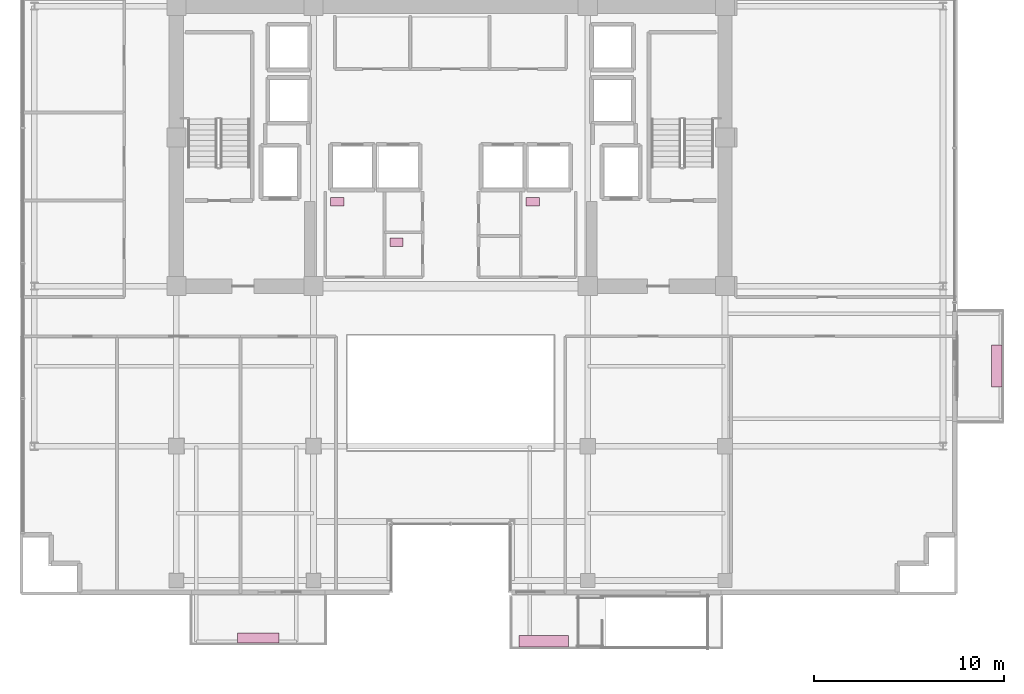
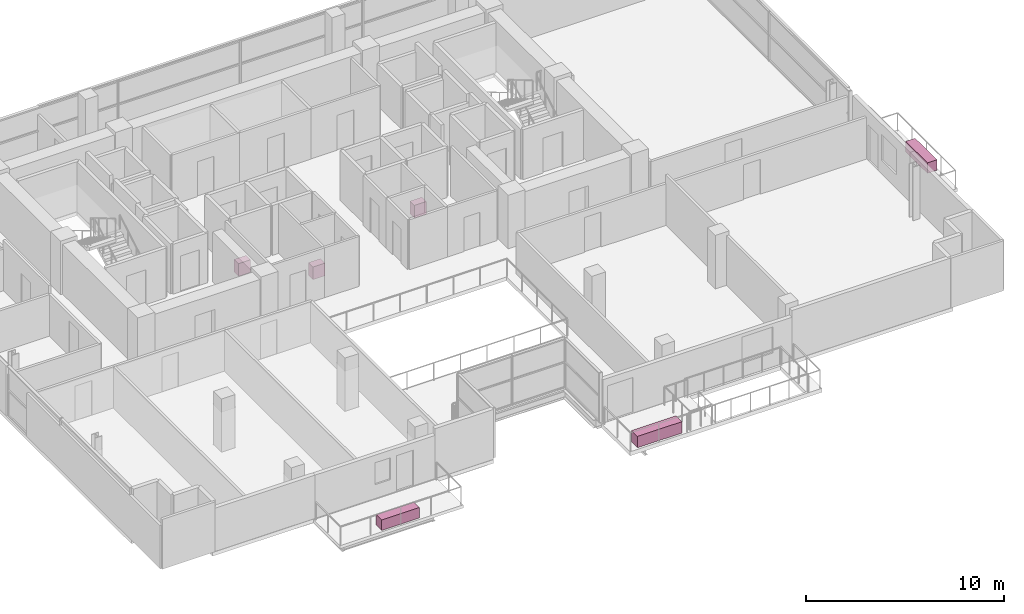
# One storey, part 23 of 23: 6 furnishings.
"""IFC4 building model written with IfcOpenShell, lengths in metres."""

from ifc_helpers import new_model, si_unit, direction, frame, origin, origin_2d, place, context, subcontext, project, spatial, rectangle, extrude, source, transform, mapped, material, type_object, element, save


model = new_model("IFC4")

# Units and contexts
model_context = context("Model", 3, precision=1e-05, world=origin(), true_north=direction((0.0, 1.0)))
body_context = subcontext(model_context, "Body", "Model", "MODEL_VIEW")
ifc_project = project(units=[si_unit("LENGTHUNIT", "METRE"), si_unit("AREAUNIT", "SQUARE_METRE"), si_unit("VOLUMEUNIT", "CUBIC_METRE"), si_unit("PLANEANGLEUNIT", "RADIAN"), si_unit("MASSUNIT", "GRAM", prefix="KILO")], contexts=[model_context])

# Site, building, storey
site_placement = place(None, origin())
site = spatial("IfcSite", under=ifc_project, at=site_placement, CompositionType="ELEMENT")
building_placement = place(site_placement, origin())
building = spatial("IfcBuilding", under=site, at=building_placement, Name="Zarnakvel Exchange Tower", CompositionType="ELEMENT")
storey_placement = place(building_placement, frame((0.0, 0.0, 175.89990234375)))
storey = spatial("IfcBuildingStorey", under=building, at=storey_placement, Name="L49", CompositionType="ELEMENT", Elevation=175.89990234375)

# Furnishings
ifc_material_1 = material(Name="Architectural Bronze Anodised Aluminium", Category="aluminium")
furnishing_element_type_1 = type_object("IfcFurnishingElementType", Name="PLNT-02", material=ifc_material_1)
shared_shape_1 = source(origin(), body_context, "Body", "SweptSolid", [
    extrude(rectangle(XDim=2.60009765625, YDim=0.60009765625, at=origin_2d()), origin(), (0.0, 0.0, 1.0), 0.699951171875),
])
furnishing_placement = place(storey_placement, frame((4.89990234375, -19.840087890625, 0.0), z_axis=(0.0, 0.0, 1.0), x_axis=(1.0, 0.0, 0.0)))
element("IfcFurnishingElement", 1, at=furnishing_placement, inside=storey, type_object=furnishing_element_type_1, Name="L49 Spiral Sky-Terrace Tropical Planter", ObjectType="PLANTER", context=body_context, shape_type="MappedRepresentation", body=[
    mapped(shared_shape_1, transform((0.0, 0.0, 0.0), x_axis=(1.0, 0.0, 0.0), y_axis=(0.0, 1.0, 0.0), z_axis=(0.0, 0.0, 1.0), scale=1.0)),
])
furnishing_element_type_2 = type_object("IfcFurnishingElementType", Name="PLNT-01", material=ifc_material_1)
shared_shape_2 = source(origin(), body_context, "Body", "SweptSolid", [
    extrude(rectangle(XDim=2.199951171875, YDim=0.550048828125, at=origin_2d()), origin(), (0.0, 0.0, 1.0), 0.64990234375),
])
for number, where, z_axis, x_axis, name in (
    (2, (-10.10009765625, -19.669921875, -0.034912109375), (0.0, 0.0, 1.0), (1.0, 0.0, 0.0), "L49 Balcony Greenery Planter BAL-L49-SW"),
    (3, (28.669921875, -5.39990234375, -0.034912109375), (0.0, 0.0, 1.0), (0.0, 1.0, 0.0), "L49 Balcony Greenery Planter BAL-L49-E"),
):
    element("IfcFurnishingElement", number, at=place(storey_placement, frame(where, z_axis=z_axis, x_axis=x_axis)), inside=storey, type_object=furnishing_element_type_2, Name=name, ObjectType="PLANTER", context=body_context, shape_type="MappedRepresentation", body=[
        mapped(shared_shape_2, transform((0.0, 0.0, 0.0), x_axis=(1.0, 0.0, 0.0), y_axis=(0.0, 1.0, 0.0), z_axis=(0.0, 0.0, 1.0), scale=1.0)),
    ])
ifc_material_2 = material(Name="Vitreous China Sanitaryware", Category="ceramic")
furnishing_element_type_3 = type_object("IfcFurnishingElementType", Name="SAN-WC", material=ifc_material_2)
shared_shape_3 = source(origin(), body_context, "Body", "SweptSolid", [
    extrude(rectangle(XDim=0.699951171875, YDim=0.449951171875, at=origin_2d()), origin(), (0.0, 0.0, 1.0), 0.780029296875),
])
for number, where, z_axis, x_axis, name in (
    (4, (-5.949951171875, 3.22998046875, 0.0), (0.0, 0.0, 1.0), (1.0, 0.0, 0.0), "L49 Sanitary Fixture (Male Toilet)"),
    (5, (-2.840087890625, 1.10009765625, 0.0), (0.0, 0.0, 1.0), (1.0, 0.0, 0.0), "L49 Sanitary Fixture (Accessible Toilet)"),
    (6, (4.31005859375, 3.22998046875, 0.0), (0.0, 0.0, 1.0), (1.0, 0.0, 0.0), "L49 Sanitary Fixture (Female Toilet)"),
):
    element("IfcFurnishingElement", number, at=place(storey_placement, frame(where, z_axis=z_axis, x_axis=x_axis)), inside=storey, type_object=furnishing_element_type_3, Name=name, ObjectType="SANITARY_FIXTURE", context=body_context, shape_type="MappedRepresentation", body=[
        mapped(shared_shape_3, transform((0.0, 0.0, 0.0), x_axis=(1.0, 0.0, 0.0), y_axis=(0.0, 1.0, 0.0), z_axis=(0.0, 0.0, 1.0), scale=1.0)),
    ])

save(model, "model.ifc")
